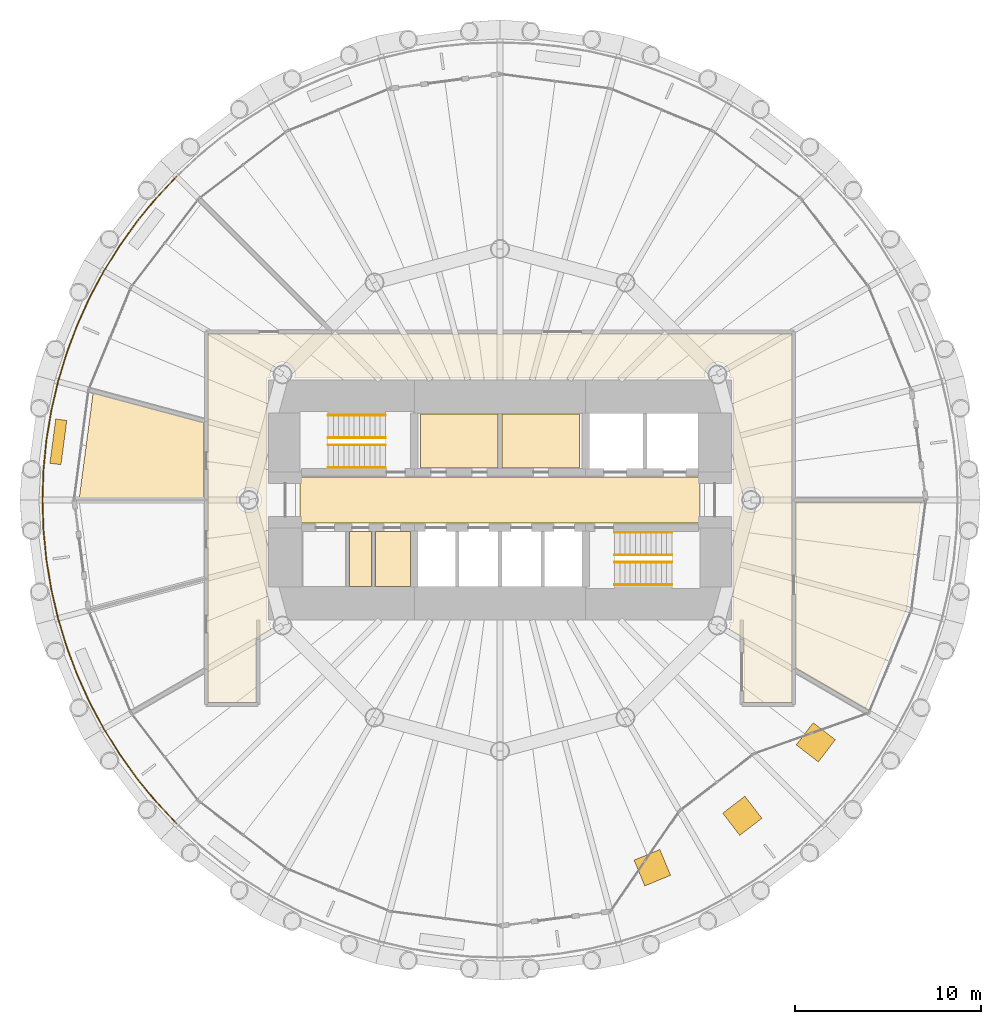
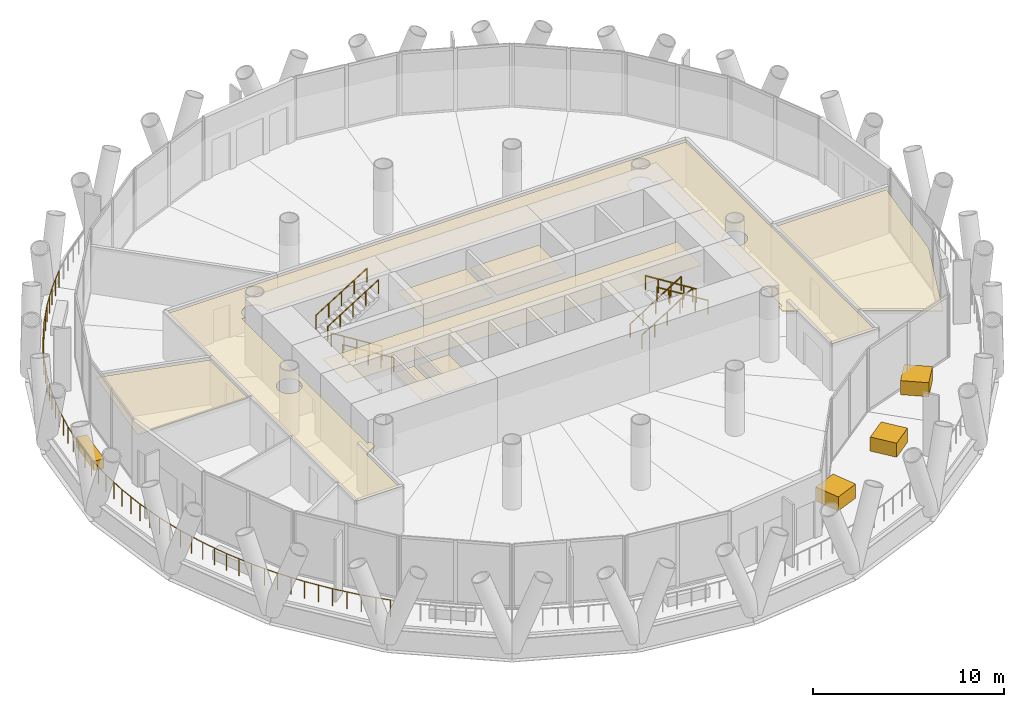
# One storey, part 13 of 15: 12 coverings, 9 railings.
"""IFC4 building model written with IfcOpenShell, lengths in metres."""

from ifc_helpers import new_model, si_unit, direction, frame, origin, origin_2d, place, context, subcontext, project, spatial, polyline, rectangle, circle, outline, extrude, material, layer, layer_set, type_object, element, save


model = new_model("IFC4")

# Units and contexts
model_context = context("Model", 3, precision=1e-05, world=origin(), true_north=direction((0.0, 1.0)))
body_context = subcontext(model_context, "Body", "Model", "MODEL_VIEW")
ifc_project = project(units=[si_unit("LENGTHUNIT", "METRE"), si_unit("AREAUNIT", "SQUARE_METRE"), si_unit("VOLUMEUNIT", "CUBIC_METRE"), si_unit("PLANEANGLEUNIT", "RADIAN"), si_unit("MASSUNIT", "GRAM", prefix="KILO")], contexts=[model_context])

# Site, building, storey
site_placement = place(None, origin())
site = spatial("IfcSite", under=ifc_project, at=site_placement, CompositionType="ELEMENT")
building_placement = place(site_placement, origin())
building = spatial("IfcBuilding", under=site, at=building_placement, Name="Qaws Media Tower", CompositionType="ELEMENT")
storey_placement = place(building_placement, frame((0.0, 0.0, 110.0)))
storey = spatial("IfcBuildingStorey", under=building, at=storey_placement, Name="L24", CompositionType="ELEMENT", Elevation=110.0)

# Railing
ifc_material_1 = material(Name="Stainless steel and glass guard", Category="steel")
railing_type_1 = type_object("IfcRailingType", Name="Balcony guard 1100", PredefinedType="GUARDRAIL", material=ifc_material_1)
railing_placement = place(storey_placement, frame((42.605224609375, 67.394775390625, 0.0)))
element("IfcRailing", 1, at=railing_placement, inside=storey, type_object=railing_type_1, Name="GR1 balcony guard L24-2", PredefinedType="GUARDRAIL", context=body_context, shape_type="SweptSolid", body=[
    extrude(circle(Radius=0.02392578125, at=origin_2d()), frame((0.0, 0.0, 1.076171875), z_axis=(-0.68367875559, -0.729783090483, 0.0), x_axis=(0.729783090483, -0.68367875559, 0.0)), (0.0, 0.0, 1.0), 1.60986328125),
    extrude(circle(Radius=0.02392578125, at=origin_2d()), frame((-1.1005859375, -1.1748046875, 1.076171875), z_axis=(-0.634393302574, -0.773010438254, 0.0), x_axis=(0.773010438254, -0.634393302574, 0.0)), (0.0, 0.0, 1.0), 1.60986328125),
    extrude(circle(Radius=0.02392578125, at=origin_2d()), frame((-2.121826171875, -2.419189453125, 1.076171875), z_axis=(-0.582385334428, -0.812912862639, 0.0), x_axis=(0.812912862639, -0.582385334428, 0.0)), (0.0, 0.0, 1.0), 1.60986328125),
    extrude(circle(Radius=0.02392578125, at=origin_2d()), frame((-3.059326171875, -3.727783203125, 1.076171875), z_axis=(-0.528102637907, -0.849180548432, 0.0), x_axis=(0.849180548432, -0.528102637907, 0.0)), (0.0, 0.0, 1.0), 1.609619140625),
    extrude(circle(Radius=0.02392578125, at=origin_2d()), frame((-3.909423828125, -5.0947265625, 1.076171875), z_axis=(-0.471375237295, -0.88193275575, 0.0), x_axis=(0.88193275575, -0.471375237295, 0.0)), (0.0, 0.0, 1.0), 1.609619140625),
    extrude(circle(Radius=0.02392578125, at=origin_2d()), frame((-4.668212890625, -6.514404296875, 1.076171875), z_axis=(-0.412797217224, -0.910822956151, 0.0), x_axis=(0.910822956151, -0.412797217224, 0.0)), (0.0, 0.0, 1.0), 1.60986328125),
    extrude(circle(Radius=0.02392578125, at=origin_2d()), frame((-5.332763671875, -7.980712890625, 1.076171875), z_axis=(-0.352170346338, -0.935935920435, 0.0), x_axis=(0.935935920435, -0.352170346338, 0.0)), (0.0, 0.0, 1.0), 1.609619140625),
    extrude(circle(Radius=0.02392578125, at=origin_2d()), frame((-5.899658203125, -9.4873046875, 1.076171875), z_axis=(-0.290268349056, -0.956945288685, 0.0), x_axis=(0.956945288685, -0.290268349056, 0.0)), (0.0, 0.0, 1.0), 1.60986328125),
    extrude(circle(Radius=0.02392578125, at=origin_2d()), frame((-6.366943359375, -11.02783203125, 1.076171875), z_axis=(-0.227052208943, -0.973882587592, 0.0), x_axis=(0.973882587592, -0.227052208943, 0.0)), (0.0, 0.0, 1.0), 1.609619140625),
    extrude(circle(Radius=0.02392578125, at=origin_2d()), frame((-6.732421875, -12.595458984375, 1.076171875), z_axis=(-0.163021698469, -0.986622483946, 0.0), x_axis=(0.986622483946, -0.163021698469, 0.0)), (0.0, 0.0, 1.0), 1.60986328125),
    extrude(circle(Radius=0.02392578125, at=origin_2d()), frame((-6.994873046875, -14.183837890625, 1.076171875), z_axis=(-0.09797199107, -0.995189172452, 0.0), x_axis=(0.995189172452, -0.09797199107, 0.0)), (0.0, 0.0, 1.0), 1.60986328125),
    extrude(circle(Radius=0.02392578125, at=origin_2d()), frame((-7.152587890625, -15.785888671875, 1.076171875), z_axis=(-0.032759342343, -0.999463268704, 0.0), x_axis=(0.999463268704, -0.032759342343, 0.0)), (0.0, 0.0, 1.0), 1.60986328125),
    extrude(circle(Radius=0.02392578125, at=origin_2d()), frame((-7.205322265625, -17.394775390625, 1.076171875), z_axis=(0.032759342343, -0.999463268704, 0.0), x_axis=(0.999463268704, 0.032759342343, 0.0)), (0.0, 0.0, 1.0), 1.60986328125),
    extrude(circle(Radius=0.02392578125, at=origin_2d()), frame((-7.152587890625, -19.003662109375, 1.076171875), z_axis=(0.09797199107, -0.995189172452, 0.0), x_axis=(0.995189172452, 0.09797199107, 0.0)), (0.0, 0.0, 1.0), 1.60986328125),
    extrude(circle(Radius=0.02392578125, at=origin_2d()), frame((-6.994873046875, -20.605712890625, 1.076171875), z_axis=(0.163021698469, -0.986622483946, 0.0), x_axis=(0.986622483946, 0.163021698469, 0.0)), (0.0, 0.0, 1.0), 1.60986328125),
    extrude(circle(Radius=0.02392578125, at=origin_2d()), frame((-6.732421875, -22.194091796875, 1.076171875), z_axis=(0.227052208943, -0.973882587592, 0.0), x_axis=(0.973882587592, 0.227052208943, 0.0)), (0.0, 0.0, 1.0), 1.609619140625),
    extrude(circle(Radius=0.02392578125, at=origin_2d()), frame((-6.366943359375, -23.76171875, 1.076171875), z_axis=(0.290268349056, -0.956945288685, 0.0), x_axis=(0.956945288685, 0.290268349056, 0.0)), (0.0, 0.0, 1.0), 1.60986328125),
    extrude(circle(Radius=0.02392578125, at=origin_2d()), frame((-5.899658203125, -25.30224609375, 1.076171875), z_axis=(0.352170346338, -0.935935920435, 0.0), x_axis=(0.935935920435, 0.352170346338, 0.0)), (0.0, 0.0, 1.0), 1.609619140625),
    extrude(circle(Radius=0.02392578125, at=origin_2d()), frame((-5.332763671875, -26.808837890625, 1.076171875), z_axis=(0.412797217224, -0.910822956151, 0.0), x_axis=(0.910822956151, 0.412797217224, 0.0)), (0.0, 0.0, 1.0), 1.60986328125),
    extrude(circle(Radius=0.02392578125, at=origin_2d()), frame((-4.668212890625, -28.275146484375, 1.076171875), z_axis=(0.471375237295, -0.88193275575, 0.0), x_axis=(0.88193275575, 0.471375237295, 0.0)), (0.0, 0.0, 1.0), 1.609619140625),
    extrude(circle(Radius=0.02392578125, at=origin_2d()), frame((-3.909423828125, -29.69482421875, 1.076171875), z_axis=(0.528102637907, -0.849180548432, 0.0), x_axis=(0.849180548432, 0.528102637907, 0.0)), (0.0, 0.0, 1.0), 1.609619140625),
    extrude(circle(Radius=0.02392578125, at=origin_2d()), frame((-3.059326171875, -31.061767578125, 1.076171875), z_axis=(0.582385334428, -0.812912862639, 0.0), x_axis=(0.812912862639, 0.582385334428, 0.0)), (0.0, 0.0, 1.0), 1.60986328125),
    extrude(circle(Radius=0.02392578125, at=origin_2d()), frame((-2.121826171875, -32.370361328125, 1.076171875), z_axis=(0.634393302574, -0.773010438254, 0.0), x_axis=(0.773010438254, 0.634393302574, 0.0)), (0.0, 0.0, 1.0), 1.60986328125),
    extrude(circle(Radius=0.02392578125, at=origin_2d()), frame((-1.1005859375, -33.61474609375, 1.076171875), z_axis=(0.68367875559, -0.729783090483, 0.0), x_axis=(0.729783090483, 0.68367875559, 0.0)), (0.0, 0.0, 1.0), 1.60986328125),
    extrude(circle(Radius=0.02099609375, at=origin_2d()), origin(), (0.0, 0.0, 1.0), 1.052001953125),
    extrude(circle(Radius=0.02099609375, at=origin_2d()), frame((-0.55029296875, -0.58740234375, 0.0)), (0.0, 0.0, 1.0), 1.052001953125),
    extrude(circle(Radius=0.02099609375, at=origin_2d()), frame((-1.1005859375, -1.1748046875, 0.0)), (0.0, 0.0, 1.0), 1.052001953125),
    extrude(circle(Radius=0.02099609375, at=origin_2d()), frame((-1.611328125, -1.796875, 0.0)), (0.0, 0.0, 1.0), 1.052001953125),
    extrude(circle(Radius=0.02099609375, at=origin_2d()), frame((-2.121826171875, -2.419189453125, 0.0)), (0.0, 0.0, 1.0), 1.052001953125),
    extrude(circle(Radius=0.02099609375, at=origin_2d()), frame((-2.590576171875, -3.073486328125, 0.0)), (0.0, 0.0, 1.0), 1.052001953125),
    extrude(circle(Radius=0.02099609375, at=origin_2d()), frame((-3.059326171875, -3.727783203125, 0.0)), (0.0, 0.0, 1.0), 1.052001953125),
    extrude(circle(Radius=0.02099609375, at=origin_2d()), frame((-3.484375, -4.4111328125, 0.0)), (0.0, 0.0, 1.0), 1.052001953125),
    extrude(circle(Radius=0.02099609375, at=origin_2d()), frame((-3.909423828125, -5.0947265625, 0.0)), (0.0, 0.0, 1.0), 1.052001953125),
    extrude(circle(Radius=0.02099609375, at=origin_2d()), frame((-4.288818359375, -5.8046875, 0.0)), (0.0, 0.0, 1.0), 1.052001953125),
    extrude(circle(Radius=0.02099609375, at=origin_2d()), frame((-4.668212890625, -6.514404296875, 0.0)), (0.0, 0.0, 1.0), 1.052001953125),
    extrude(circle(Radius=0.02099609375, at=origin_2d()), frame((-5.00048828125, -7.24755859375, 0.0)), (0.0, 0.0, 1.0), 1.052001953125),
    extrude(circle(Radius=0.02099609375, at=origin_2d()), frame((-5.332763671875, -7.980712890625, 0.0)), (0.0, 0.0, 1.0), 1.052001953125),
    extrude(circle(Radius=0.02099609375, at=origin_2d()), frame((-5.6162109375, -8.73388671875, 0.0)), (0.0, 0.0, 1.0), 1.052001953125),
    extrude(circle(Radius=0.02099609375, at=origin_2d()), frame((-5.899658203125, -9.4873046875, 0.0)), (0.0, 0.0, 1.0), 1.052001953125),
    extrude(circle(Radius=0.02099609375, at=origin_2d()), frame((-6.13330078125, -10.257568359375, 0.0)), (0.0, 0.0, 1.0), 1.052001953125),
    extrude(circle(Radius=0.02099609375, at=origin_2d()), frame((-6.366943359375, -11.02783203125, 0.0)), (0.0, 0.0, 1.0), 1.052001953125),
    extrude(circle(Radius=0.02099609375, at=origin_2d()), frame((-6.5498046875, -11.8115234375, 0.0)), (0.0, 0.0, 1.0), 1.052001953125),
    extrude(circle(Radius=0.02099609375, at=origin_2d()), frame((-6.732421875, -12.595458984375, 0.0)), (0.0, 0.0, 1.0), 1.052001953125),
    extrude(circle(Radius=0.02099609375, at=origin_2d()), frame((-6.86376953125, -13.3896484375, 0.0)), (0.0, 0.0, 1.0), 1.052001953125),
    extrude(circle(Radius=0.02099609375, at=origin_2d()), frame((-6.994873046875, -14.183837890625, 0.0)), (0.0, 0.0, 1.0), 1.052001953125),
    extrude(circle(Radius=0.02099609375, at=origin_2d()), frame((-7.07373046875, -14.98486328125, 0.0)), (0.0, 0.0, 1.0), 1.052001953125),
    extrude(circle(Radius=0.02099609375, at=origin_2d()), frame((-7.152587890625, -15.785888671875, 0.0)), (0.0, 0.0, 1.0), 1.052001953125),
    extrude(circle(Radius=0.02099609375, at=origin_2d()), frame((-7.178955078125, -16.59033203125, 0.0)), (0.0, 0.0, 1.0), 1.052001953125),
    extrude(circle(Radius=0.02099609375, at=origin_2d()), frame((-7.205322265625, -17.394775390625, 0.0)), (0.0, 0.0, 1.0), 1.052001953125),
    extrude(circle(Radius=0.02099609375, at=origin_2d()), frame((-7.178955078125, -18.19921875, 0.0)), (0.0, 0.0, 1.0), 1.052001953125),
    extrude(circle(Radius=0.02099609375, at=origin_2d()), frame((-7.152587890625, -19.003662109375, 0.0)), (0.0, 0.0, 1.0), 1.052001953125),
    extrude(circle(Radius=0.02099609375, at=origin_2d()), frame((-7.07373046875, -19.8046875, 0.0)), (0.0, 0.0, 1.0), 1.052001953125),
    extrude(circle(Radius=0.02099609375, at=origin_2d()), frame((-6.994873046875, -20.605712890625, 0.0)), (0.0, 0.0, 1.0), 1.052001953125),
    extrude(circle(Radius=0.02099609375, at=origin_2d()), frame((-6.86376953125, -21.39990234375, 0.0)), (0.0, 0.0, 1.0), 1.052001953125),
    extrude(circle(Radius=0.02099609375, at=origin_2d()), frame((-6.732421875, -22.194091796875, 0.0)), (0.0, 0.0, 1.0), 1.052001953125),
    extrude(circle(Radius=0.02099609375, at=origin_2d()), frame((-6.5498046875, -22.97802734375, 0.0)), (0.0, 0.0, 1.0), 1.052001953125),
    extrude(circle(Radius=0.02099609375, at=origin_2d()), frame((-6.366943359375, -23.76171875, 0.0)), (0.0, 0.0, 1.0), 1.052001953125),
    extrude(circle(Radius=0.02099609375, at=origin_2d()), frame((-6.13330078125, -24.531982421875, 0.0)), (0.0, 0.0, 1.0), 1.052001953125),
    extrude(circle(Radius=0.02099609375, at=origin_2d()), frame((-5.899658203125, -25.30224609375, 0.0)), (0.0, 0.0, 1.0), 1.052001953125),
    extrude(circle(Radius=0.02099609375, at=origin_2d()), frame((-5.6162109375, -26.0556640625, 0.0)), (0.0, 0.0, 1.0), 1.052001953125),
    extrude(circle(Radius=0.02099609375, at=origin_2d()), frame((-5.332763671875, -26.808837890625, 0.0)), (0.0, 0.0, 1.0), 1.052001953125),
    extrude(circle(Radius=0.02099609375, at=origin_2d()), frame((-5.00048828125, -27.5419921875, 0.0)), (0.0, 0.0, 1.0), 1.052001953125),
    extrude(circle(Radius=0.02099609375, at=origin_2d()), frame((-4.668212890625, -28.275146484375, 0.0)), (0.0, 0.0, 1.0), 1.052001953125),
    extrude(circle(Radius=0.02099609375, at=origin_2d()), frame((-4.288818359375, -28.98486328125, 0.0)), (0.0, 0.0, 1.0), 1.052001953125),
    extrude(circle(Radius=0.02099609375, at=origin_2d()), frame((-3.909423828125, -29.69482421875, 0.0)), (0.0, 0.0, 1.0), 1.052001953125),
    extrude(circle(Radius=0.02099609375, at=origin_2d()), frame((-3.484375, -30.37841796875, 0.0)), (0.0, 0.0, 1.0), 1.052001953125),
    extrude(circle(Radius=0.02099609375, at=origin_2d()), frame((-3.059326171875, -31.061767578125, 0.0)), (0.0, 0.0, 1.0), 1.052001953125),
    extrude(circle(Radius=0.02099609375, at=origin_2d()), frame((-2.590576171875, -31.716064453125, 0.0)), (0.0, 0.0, 1.0), 1.052001953125),
    extrude(circle(Radius=0.02099609375, at=origin_2d()), frame((-2.121826171875, -32.370361328125, 0.0)), (0.0, 0.0, 1.0), 1.052001953125),
    extrude(circle(Radius=0.02099609375, at=origin_2d()), frame((-1.611328125, -32.99267578125, 0.0)), (0.0, 0.0, 1.0), 1.052001953125),
    extrude(circle(Radius=0.02099609375, at=origin_2d()), frame((-1.1005859375, -33.61474609375, 0.0)), (0.0, 0.0, 1.0), 1.052001953125),
    extrude(circle(Radius=0.02099609375, at=origin_2d()), frame((-0.55029296875, -34.2021484375, 0.0)), (0.0, 0.0, 1.0), 1.052001953125),
    extrude(circle(Radius=0.02099609375, at=origin_2d()), frame((0.0, -34.78955078125, 0.0)), (0.0, 0.0, 1.0), 1.052001953125),
])

# Coverings
ifc_material_2 = material(Name="600 x 600 mineral fibre tiles in exposed grid, suspended", Category="mineral fibre")
ifc_layer_1 = layer(ifc_material_2, 0.02001953125)
ifc_layer_set_1 = layer_set([ifc_layer_1], Name="Mineral fibre tile ceiling 20")
covering_type_1 = type_object("IfcCoveringType", Name="Mineral fibre tile ceiling 20", PredefinedType="CEILING", material=ifc_layer_set_1)
covering_1_placement = place(storey_placement, frame((0.0, 0.0, 2.85009765625)))
element("IfcCovering", 2, at=covering_1_placement, inside=storey, type_object=covering_type_1, Name="CL1 ceiling L24-C07 Ladies toilets", PredefinedType="CEILING", context=body_context, shape_type="SweptSolid", body=[
    extrude(outline(polyline([(55.719970703125, 51.719970703125), (55.719970703125, 54.6298828125), (59.8798828125, 54.6298828125), (59.8798828125, 51.719970703125), (55.719970703125, 51.719970703125)])), origin(), (0.0, 0.0, 1.0), 0.02001953125),
])
covering_2_placement = place(storey_placement, frame((0.0, 0.0, 2.85009765625)))
element("IfcCovering", 3, at=covering_2_placement, inside=storey, type_object=covering_type_1, Name="CL1 ceiling L24-C08 Gents toilets", PredefinedType="CEILING", context=body_context, shape_type="SweptSolid", body=[
    extrude(outline(polyline([(60.1201171875, 51.719970703125), (60.1201171875, 54.6298828125), (64.280029296875, 54.6298828125), (64.280029296875, 51.719970703125), (60.1201171875, 51.719970703125)])), origin(), (0.0, 0.0, 1.0), 0.02001953125),
])
covering_3_placement = place(storey_placement, frame((0.0, 0.0, 2.85009765625)))
element("IfcCovering", 4, at=covering_3_placement, inside=storey, type_object=covering_type_1, Name="CL1 ceiling L24-01 Corridor", PredefinedType="CEILING", context=body_context, shape_type="SweptSolid", body=[
    extrude(outline(polyline([(44.3125, 39.112548828125), (44.3125, 58.9375), (75.6875, 58.9375), (75.6875, 39.112548828125), (73.112548828125, 39.112548828125), (73.112548828125, 42.559326171875), (72.31689453125, 43.018798828125), (72.336669921875, 43.0771484375), (72.353515625, 43.162841796875), (72.359375, 43.25), (72.353515625, 43.337158203125), (72.336669921875, 43.4228515625), (72.33154296875, 43.4375), (72.5625, 43.4375), (72.5625, 56.5625), (72.33154296875, 56.5625), (72.336669921875, 56.5771484375), (72.353515625, 56.662841796875), (72.359375, 56.75), (72.353515625, 56.837158203125), (72.336669921875, 56.9228515625), (72.30859375, 57.005615234375), (72.269775390625, 57.083984375), (72.22119140625, 57.15673828125), (72.163818359375, 57.222412109375), (72.097900390625, 57.280029296875), (72.025390625, 57.32861328125), (71.947021484375, 57.3671875), (71.8642578125, 57.395263671875), (71.778564453125, 57.412353515625), (71.69140625, 57.41796875), (71.604248046875, 57.412353515625), (71.5185546875, 57.395263671875), (71.435791015625, 57.3671875), (71.357421875, 57.32861328125), (71.28466796875, 57.280029296875), (71.218994140625, 57.222412109375), (71.161376953125, 57.15673828125), (71.11279296875, 57.083984375), (71.07421875, 57.005615234375), (71.046142578125, 56.9228515625), (71.029052734375, 56.837158203125), (71.023193359375, 56.75), (71.029052734375, 56.662841796875), (71.046142578125, 56.5771484375), (71.051025390625, 56.5625), (48.948974609375, 56.5625), (48.953857421875, 56.5771484375), (48.970947265625, 56.662841796875), (48.976806640625, 56.75), (48.970947265625, 56.837158203125), (48.953857421875, 56.9228515625), (48.92578125, 57.005615234375), (48.88720703125, 57.083984375), (48.838623046875, 57.15673828125), (48.781005859375, 57.222412109375), (48.71533203125, 57.280029296875), (48.642578125, 57.32861328125), (48.564208984375, 57.3671875), (48.4814453125, 57.395263671875), (48.395751953125, 57.412353515625), (48.30859375, 57.41796875), (48.221435546875, 57.412353515625), (48.1357421875, 57.395263671875), (48.052978515625, 57.3671875), (47.974609375, 57.32861328125), (47.902099609375, 57.280029296875), (47.836181640625, 57.222412109375), (47.77880859375, 57.15673828125), (47.730224609375, 57.083984375), (47.69140625, 57.005615234375), (47.663330078125, 56.9228515625), (47.646484375, 56.837158203125), (47.640625, 56.75), (47.646484375, 56.662841796875), (47.663330078125, 56.5771484375), (47.66845703125, 56.5625), (47.4375, 56.5625), (47.4375, 43.4375), (47.66845703125, 43.4375), (47.663330078125, 43.4228515625), (47.646484375, 43.337158203125), (47.640625, 43.25), (47.646484375, 43.162841796875), (47.663330078125, 43.0771484375), (47.68310546875, 43.018798828125), (46.887451171875, 42.559326171875), (46.887451171875, 39.112548828125), (44.3125, 39.112548828125)]), holes=[polyline([(47.1171875, 49.744384765625), (47.145263671875, 49.8271484375), (47.162353515625, 49.912841796875), (47.16796875, 50.0), (47.162353515625, 50.087158203125), (47.145263671875, 50.1728515625), (47.1171875, 50.255615234375), (47.07861328125, 50.333984375), (47.030029296875, 50.40673828125), (46.972412109375, 50.472412109375), (46.90673828125, 50.530029296875), (46.833984375, 50.57861328125), (46.755615234375, 50.6171875), (46.6728515625, 50.645263671875), (46.587158203125, 50.662353515625), (46.5, 50.66796875), (46.412841796875, 50.662353515625), (46.3271484375, 50.645263671875), (46.244384765625, 50.6171875), (46.166015625, 50.57861328125), (46.09326171875, 50.530029296875), (46.027587890625, 50.472412109375), (45.969970703125, 50.40673828125), (45.92138671875, 50.333984375), (45.8828125, 50.255615234375), (45.854736328125, 50.1728515625), (45.837646484375, 50.087158203125), (45.83203125, 50.0), (45.837646484375, 49.912841796875), (45.854736328125, 49.8271484375), (45.8828125, 49.744384765625), (45.92138671875, 49.666015625), (45.969970703125, 49.59326171875), (46.027587890625, 49.527587890625), (46.09326171875, 49.469970703125), (46.166015625, 49.42138671875), (46.244384765625, 49.3828125), (46.3271484375, 49.354736328125), (46.412841796875, 49.337646484375), (46.5, 49.33203125), (46.587158203125, 49.337646484375), (46.6728515625, 49.354736328125), (46.755615234375, 49.3828125), (46.833984375, 49.42138671875), (46.90673828125, 49.469970703125), (46.972412109375, 49.527587890625), (47.030029296875, 49.59326171875), (47.07861328125, 49.666015625), (47.1171875, 49.744384765625)]), polyline([(74.145263671875, 49.8271484375), (74.162353515625, 49.912841796875), (74.16796875, 50.0), (74.162353515625, 50.087158203125), (74.145263671875, 50.1728515625), (74.1171875, 50.255615234375), (74.07861328125, 50.333984375), (74.030029296875, 50.40673828125), (73.972412109375, 50.472412109375), (73.90673828125, 50.530029296875), (73.833984375, 50.57861328125), (73.755615234375, 50.6171875), (73.6728515625, 50.645263671875), (73.587158203125, 50.662353515625), (73.5, 50.66796875), (73.412841796875, 50.662353515625), (73.3271484375, 50.645263671875), (73.244384765625, 50.6171875), (73.166015625, 50.57861328125), (73.09326171875, 50.530029296875), (73.027587890625, 50.472412109375), (72.969970703125, 50.40673828125), (72.92138671875, 50.333984375), (72.8828125, 50.255615234375), (72.854736328125, 50.1728515625), (72.837646484375, 50.087158203125), (72.83203125, 50.0), (72.837646484375, 49.912841796875), (72.854736328125, 49.8271484375), (72.8828125, 49.744384765625), (72.92138671875, 49.666015625), (72.969970703125, 49.59326171875), (73.027587890625, 49.527587890625), (73.09326171875, 49.469970703125), (73.166015625, 49.42138671875), (73.244384765625, 49.3828125), (73.3271484375, 49.354736328125), (73.412841796875, 49.337646484375), (73.5, 49.33203125), (73.587158203125, 49.337646484375), (73.6728515625, 49.354736328125), (73.755615234375, 49.3828125), (73.833984375, 49.42138671875), (73.90673828125, 49.469970703125), (73.972412109375, 49.527587890625), (74.030029296875, 49.59326171875), (74.07861328125, 49.666015625), (74.1171875, 49.744384765625), (74.145263671875, 49.8271484375)])]), origin(), (0.0, 0.0, 1.0), 0.02001953125),
])
covering_4_placement = place(storey_placement, frame((0.0, 0.0, 2.85009765625)))
element("IfcCovering", 5, at=covering_4_placement, inside=storey, type_object=covering_type_1, Name="CL1 ceiling L24-04 Office", PredefinedType="CEILING", context=body_context, shape_type="SweptSolid", body=[
    extrude(outline(polyline([(38.12109375, 55.745849609375), (44.08740234375, 54.147216796875), (44.08740234375, 50.112548828125), (37.379638671875, 50.112548828125), (38.12109375, 55.745849609375)])), origin(), (0.0, 0.0, 1.0), 0.02001953125),
])
covering_5_placement = place(storey_placement, frame((0.0, 0.0, 2.85009765625)))
element("IfcCovering", 6, at=covering_5_placement, inside=storey, type_object=covering_type_1, Name="CL1 ceiling L24-08 Sales office", PredefinedType="CEILING", context=body_context, shape_type="SweptSolid", body=[
    extrude(outline(polyline([(75.91259765625, 40.94287109375), (75.91259765625, 49.887451171875), (82.620361328125, 49.887451171875), (81.864013671875, 44.1416015625), (79.64599609375, 38.787109375), (75.91259765625, 40.94287109375)])), origin(), (0.0, 0.0, 1.0), 0.02001953125),
])
covering_6_placement = place(storey_placement, frame((0.0, 0.0, 2.85009765625)))
element("IfcCovering", 7, at=covering_6_placement, inside=storey, type_object=covering_type_1, Name="CL1 ceiling L24-C05 Cleaner's room", PredefinedType="CEILING", context=body_context, shape_type="SweptSolid", body=[
    extrude(outline(polyline([(51.89990234375, 45.35009765625), (51.89990234375, 48.300048828125), (53.10009765625, 48.300048828125), (53.10009765625, 45.35009765625), (51.89990234375, 45.35009765625)])), origin(), (0.0, 0.0, 1.0), 0.02001953125),
])
covering_7_placement = place(storey_placement, frame((0.0, 0.0, 2.85009765625)))
element("IfcCovering", 8, at=covering_7_placement, inside=storey, type_object=covering_type_1, Name="CL1 ceiling L24-C06 First aid room", PredefinedType="CEILING", context=body_context, shape_type="SweptSolid", body=[
    extrude(outline(polyline([(53.300048828125, 45.35009765625), (53.300048828125, 48.300048828125), (55.199951171875, 48.300048828125), (55.199951171875, 45.35009765625), (53.300048828125, 45.35009765625)])), origin(), (0.0, 0.0, 1.0), 0.02001953125),
])
ifc_material_3 = material(Name="Precast concrete planter with trailing planting", Category="concrete")
ifc_layer_2 = layer(ifc_material_3, 0.60009765625)
ifc_layer_set_2 = layer_set([ifc_layer_2], Name="Planter 2400x600")
covering_type_2 = type_object("IfcCoveringType", Name="Planter 2400x600", PredefinedType="USERDEFINED", material=ifc_layer_set_2)
covering_8_placement = place(storey_placement, frame((36.2548828125, 53.126220703125, 0.0), z_axis=(0.0, 0.0, 1.0), x_axis=(-0.13052619222, -0.991444861374, 0.0)))
element("IfcCovering", 9, at=covering_8_placement, inside=storey, type_object=covering_type_2, Name="PL1 balcony planter L24-06", ObjectType="PLANTER", PredefinedType="USERDEFINED", context=body_context, shape_type="SweptSolid", body=[
    extrude(rectangle(XDim=2.39990234375, YDim=0.60009765625, at=origin_2d()), origin(), (0.0, 0.0, 1.0), 0.60009765625),
])
ifc_material_4 = material(Name="Two layers 12.5 moisture-resistant plasterboard on suspended metal furring", Category="gypsum")
ifc_layer_3 = layer(ifc_material_4, 0.02490234375)
ifc_layer_set_3 = layer_set([ifc_layer_3], Name="Plasterboard ceiling 25")
covering_type_3 = type_object("IfcCoveringType", Name="Plasterboard ceiling 25", PredefinedType="CEILING", material=ifc_layer_set_3)
covering_9_placement = place(storey_placement, frame((0.0, 0.0, 2.85009765625)))
element("IfcCovering", 10, at=covering_9_placement, inside=storey, type_object=covering_type_3, Name="CL2 ceiling L24-C01 Lift lobby", PredefinedType="CEILING", context=body_context, shape_type="SweptSolid", body=[
    extrude(outline(polyline([(49.25, 48.75), (49.25, 51.25), (70.75, 51.25), (70.75, 48.75), (49.25, 48.75)])), origin(), (0.0, 0.0, 1.0), 0.02490234375),
])

# Railings
ifc_material_5 = material(Name="Steel tube handrail", Category="steel")
railing_type_2 = type_object("IfcRailingType", Name="Stair handrail 900", PredefinedType="HANDRAIL", material=ifc_material_5)
for number, where, name in (
    (11, (53.840087890625, 51.75, 0.175048828125), "HR1 handrail S1 flight 1 L24"),
    (12, (53.840087890625, 52.9599609375, 0.175048828125), "HR1 handrail S1 flight 1 L24"),
):
    element("IfcRailing", number, at=place(storey_placement, frame(where)), inside=storey, type_object=railing_type_2, Name=name, PredefinedType="HANDRAIL", context=body_context, shape_type="SweptSolid", body=[
        extrude(circle(Radius=0.02392578125, at=origin_2d()), frame((0.0, 0.0, 0.8759765625), z_axis=(-0.847998304005, 0.0, 0.529998940003), x_axis=(0.0, -1.0, 0.0)), (0.0, 0.0, 1.0), 3.632080078125),
        extrude(circle(Radius=0.02099609375, at=origin_2d()), origin(), (0.0, 0.0, 1.0), 0.851806640625),
        extrude(circle(Radius=0.02099609375, at=origin_2d()), frame((-0.77001953125, 0.0, 0.481201171875)), (0.0, 0.0, 1.0), 0.851806640625),
        extrude(circle(Radius=0.02099609375, at=origin_2d()), frame((-1.5400390625, 0.0, 0.96240234375)), (0.0, 0.0, 1.0), 0.851806640625),
        extrude(circle(Radius=0.02099609375, at=origin_2d()), frame((-2.31005859375, 0.0, 1.44384765625)), (0.0, 0.0, 1.0), 0.851806640625),
        extrude(circle(Radius=0.02099609375, at=origin_2d()), frame((-3.080078125, 0.0, 1.925048828125)), (0.0, 0.0, 1.0), 0.851806640625),
    ])
for number, where, name in (
    (13, (50.760009765625, 54.550048828125, 2.27490234375), "HR1 handrail S1 flight 2 L24"),
    (14, (50.760009765625, 53.340087890625, 2.27490234375), "HR1 handrail S1 flight 2 L24"),
    (15, (66.159912109375, 48.25, 0.175048828125), "HR1 handrail S2 flight 1 L24"),
    (16, (66.159912109375, 47.0400390625, 0.175048828125), "HR1 handrail S2 flight 1 L24"),
):
    element("IfcRailing", number, at=place(storey_placement, frame(where)), inside=storey, type_object=railing_type_2, Name=name, PredefinedType="HANDRAIL", context=body_context, shape_type="SweptSolid", body=[
        extrude(circle(Radius=0.02392578125, at=origin_2d()), frame((0.0, 0.0, 0.8759765625), z_axis=(0.847998304005, 0.0, 0.529998940003), x_axis=(0.0, 1.0, 0.0)), (0.0, 0.0, 1.0), 3.632080078125),
        extrude(circle(Radius=0.02099609375, at=origin_2d()), origin(), (0.0, 0.0, 1.0), 0.851806640625),
        extrude(circle(Radius=0.02099609375, at=origin_2d()), frame((0.77001953125, 0.0, 0.481201171875)), (0.0, 0.0, 1.0), 0.851806640625),
        extrude(circle(Radius=0.02099609375, at=origin_2d()), frame((1.5400390625, 0.0, 0.96240234375)), (0.0, 0.0, 1.0), 0.851806640625),
        extrude(circle(Radius=0.02099609375, at=origin_2d()), frame((2.31005859375, 0.0, 1.44384765625)), (0.0, 0.0, 1.0), 0.851806640625),
        extrude(circle(Radius=0.02099609375, at=origin_2d()), frame((3.080078125, 0.0, 1.925048828125)), (0.0, 0.0, 1.0), 0.851806640625),
    ])
for number, where, name in (
    (17, (69.239990234375, 45.449951171875, 2.27490234375), "HR1 handrail S2 flight 2 L24"),
    (18, (69.239990234375, 46.659912109375, 2.27490234375), "HR1 handrail S2 flight 2 L24"),
):
    element("IfcRailing", number, at=place(storey_placement, frame(where)), inside=storey, type_object=railing_type_2, Name=name, PredefinedType="HANDRAIL", context=body_context, shape_type="SweptSolid", body=[
        extrude(circle(Radius=0.02392578125, at=origin_2d()), frame((0.0, 0.0, 0.8759765625), z_axis=(-0.847998304005, 0.0, 0.529998940003), x_axis=(0.0, -1.0, 0.0)), (0.0, 0.0, 1.0), 3.632080078125),
        extrude(circle(Radius=0.02099609375, at=origin_2d()), origin(), (0.0, 0.0, 1.0), 0.851806640625),
        extrude(circle(Radius=0.02099609375, at=origin_2d()), frame((-0.77001953125, 0.0, 0.481201171875)), (0.0, 0.0, 1.0), 0.851806640625),
        extrude(circle(Radius=0.02099609375, at=origin_2d()), frame((-1.5400390625, 0.0, 0.96240234375)), (0.0, 0.0, 1.0), 0.851806640625),
        extrude(circle(Radius=0.02099609375, at=origin_2d()), frame((-2.31005859375, 0.0, 1.44384765625)), (0.0, 0.0, 1.0), 0.851806640625),
        extrude(circle(Radius=0.02099609375, at=origin_2d()), frame((-3.080078125, 0.0, 1.925048828125)), (0.0, 0.0, 1.0), 0.851806640625),
    ])

# Coverings
ifc_material_6 = material(Name="Precast concrete tree planter", Category="concrete")
ifc_layer_4 = layer(ifc_material_6, 0.89990234375)
ifc_layer_set_4 = layer_set([ifc_layer_4], Name="Tree planter 1500")
covering_type_4 = type_object("IfcCoveringType", Name="Tree planter 1500", PredefinedType="USERDEFINED", material=ifc_layer_set_4)
for number, where, z_axis, x_axis, name in (
    (19, (68.189453125, 30.22900390625, 0.0), (0.0, 0.0, 1.0), (0.382683432365, -0.923879532511, 0.0), "PL2 sky garden tree planter L24-1"),
    (20, (73.027587890625, 33.022216796875, 0.0), (0.0, 0.0, 1.0), (0.608761429009, -0.793353340291, 0.0), "PL2 sky garden tree planter L24-2"),
    (21, (76.977783203125, 36.972412109375, 0.0), (0.0, 0.0, 1.0), (0.793353340291, -0.608761429009, 0.0), "PL2 sky garden tree planter L24-3"),
):
    element("IfcCovering", number, at=place(storey_placement, frame(where, z_axis=z_axis, x_axis=x_axis)), inside=storey, type_object=covering_type_4, Name=name, ObjectType="PLANTER", PredefinedType="USERDEFINED", context=body_context, shape_type="SweptSolid", body=[
        extrude(rectangle(XDim=1.5, YDim=1.5, at=origin_2d()), origin(), (0.0, 0.0, 1.0), 0.89990234375),
    ])

save(model, "model.ifc")
